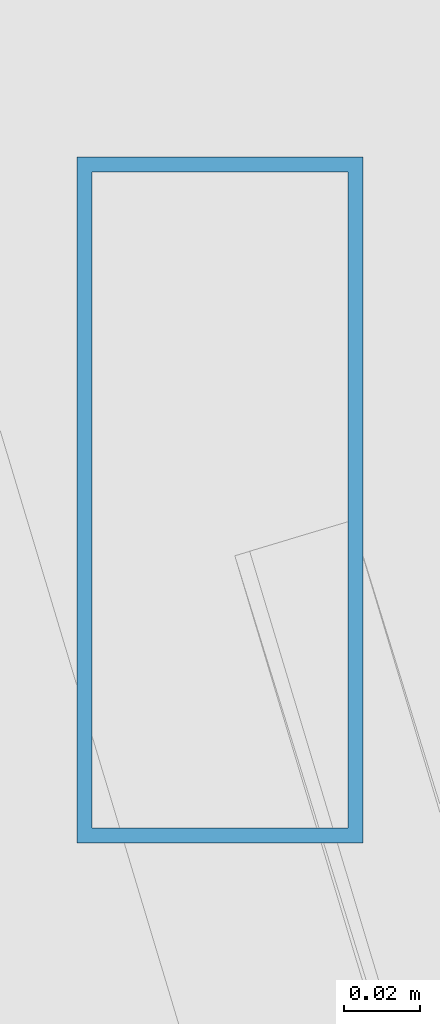
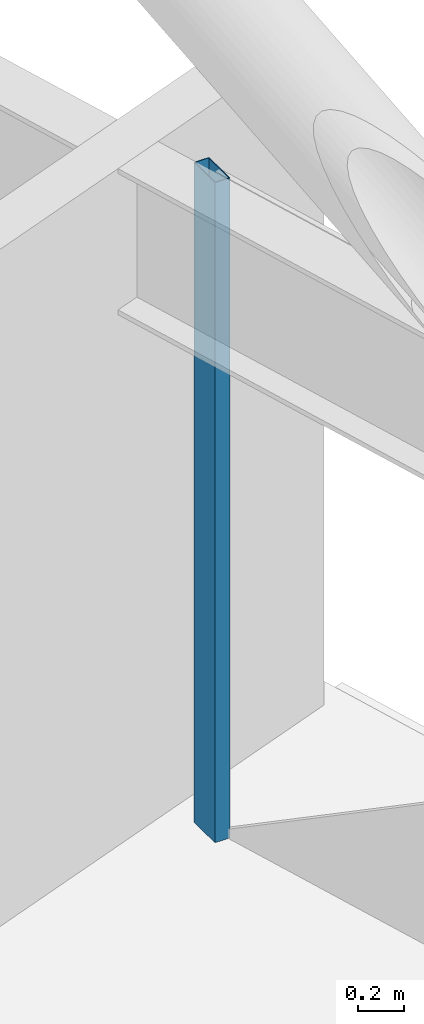
# One storey, part 21 of 33: 1 member, 1 element without a shape of its own.
"""IFC4 building model written with IfcOpenShell, lengths in metres."""

from ifc_helpers import new_model, si_unit, direction, frame, origin, origin_2d, place, context, subcontext, project, spatial, hollow_rectangle, extrude, material, layer, layer_set, material_profile, profile_set, type_object, element, aggregate, save


model = new_model("IFC4")

# Units and contexts
model_context = context("Model", 3, precision=1e-05, world=origin(), true_north=direction((0.0, 1.0)))
body_context = subcontext(model_context, "Body", "Model", "MODEL_VIEW")
ifc_project = project(units=[si_unit("LENGTHUNIT", "METRE"), si_unit("AREAUNIT", "SQUARE_METRE"), si_unit("VOLUMEUNIT", "CUBIC_METRE"), si_unit("PLANEANGLEUNIT", "RADIAN"), si_unit("MASSUNIT", "GRAM", prefix="KILO")], contexts=[model_context])

# Site, building, storey
site_placement = place(None, origin())
site = spatial("IfcSite", under=ifc_project, at=site_placement, CompositionType="ELEMENT")
building_placement = place(site_placement, origin())
building = spatial("IfcBuilding", under=site, at=building_placement, Name="Vantalir Tower", CompositionType="ELEMENT")
storey_placement = place(building_placement, frame((0.0, 0.0, 72.0)))
storey = spatial("IfcBuildingStorey", under=building, at=storey_placement, Name="L17", CompositionType="ELEMENT", Elevation=72.0)

# Curtain wall, member
ifc_material_1 = material(Name="Champagne-silver PVDF aluminium and double-silver Low-E glass", Category="aluminium")
ifc_layer = layer(ifc_material_1, 0.18994140625)
ifc_layer_set = layer_set([ifc_layer], Name="Champagne-silver PVDF aluminium and double-silver Low-E glass")
curtain_wall_type = type_object("IfcCurtainWallType", Name="CW-DIAMOND-Z1", PredefinedType="USERDEFINED", material=ifc_layer_set)
curtain_wall_placement = place(storey_placement, origin())
curtain_wall = element("IfcCurtainWall", 1, at=curtain_wall_placement, inside=storey, type_object=curtain_wall_type, Name="L17 Quilted Pyramid-Diamond Curtain Wall S01", ObjectType="UNITISED CURTAIN WALL", PredefinedType="USERDEFINED")
ifc_material_2 = material(Name="Champagne-silver PVDF aluminium 6063-T6", Category="aluminium")
ifc_material_profile = material_profile(ifc_material_2, hollow_rectangle(XDim=0.074951171875, YDim=0.179931640625, WallThickness=0.00390625, at=origin_2d()), Name="Champagne-silver PVDF aluminium 6063-T6")
ifc_profile_set = profile_set([ifc_material_profile], Name="Champagne-silver PVDF aluminium 6063-T6")
member_type = type_object("IfcMemberType", Name="CWM-180x75", PredefinedType="MULLION", material=ifc_profile_set)
member_placement = place(storey_placement, frame((56.989013671875, 32.822998046875, 0.044921875), z_axis=(0.0, 0.0, 1.0), x_axis=(1.0, 0.0, 0.0)))
member = element("IfcMember", 2, at=member_placement, type_object=member_type, Name="CW-L17-S01 Mullion 2", PredefinedType="MULLION", context=body_context, shape_type="SweptSolid", body=[
    extrude(hollow_rectangle(XDim=0.074951171875, YDim=0.179931640625, WallThickness=0.00390625, at=origin_2d()), origin(), (0.0, 0.0, 1.0), 3.47998046875),
])
aggregate(curtain_wall, [member])

save(model, "model.ifc")
